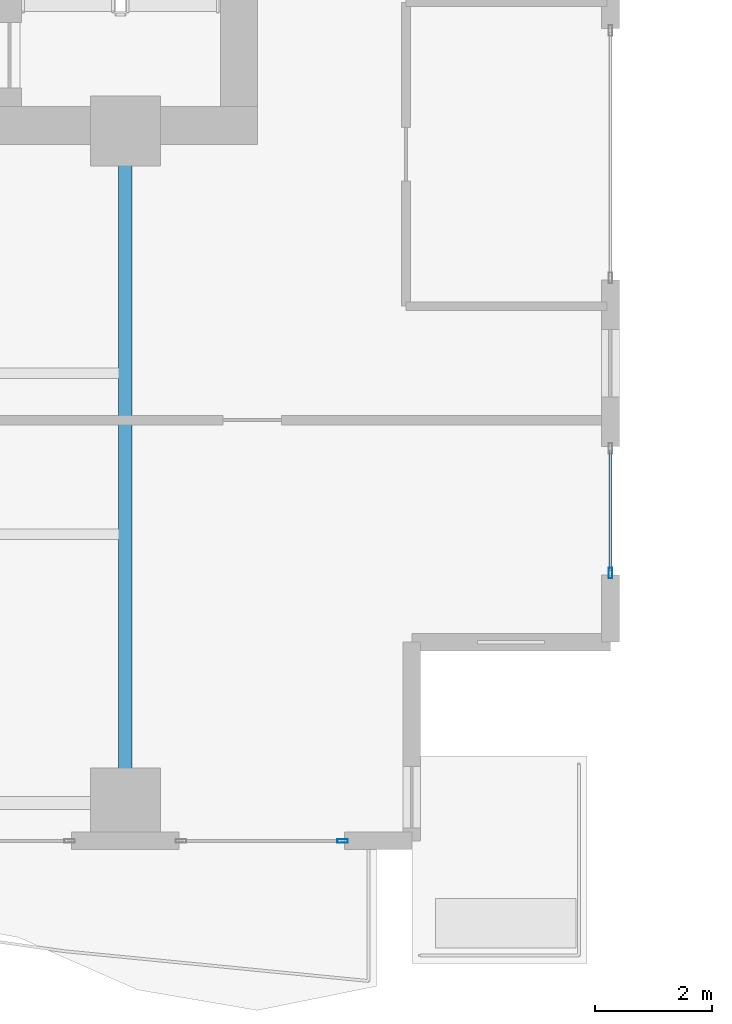
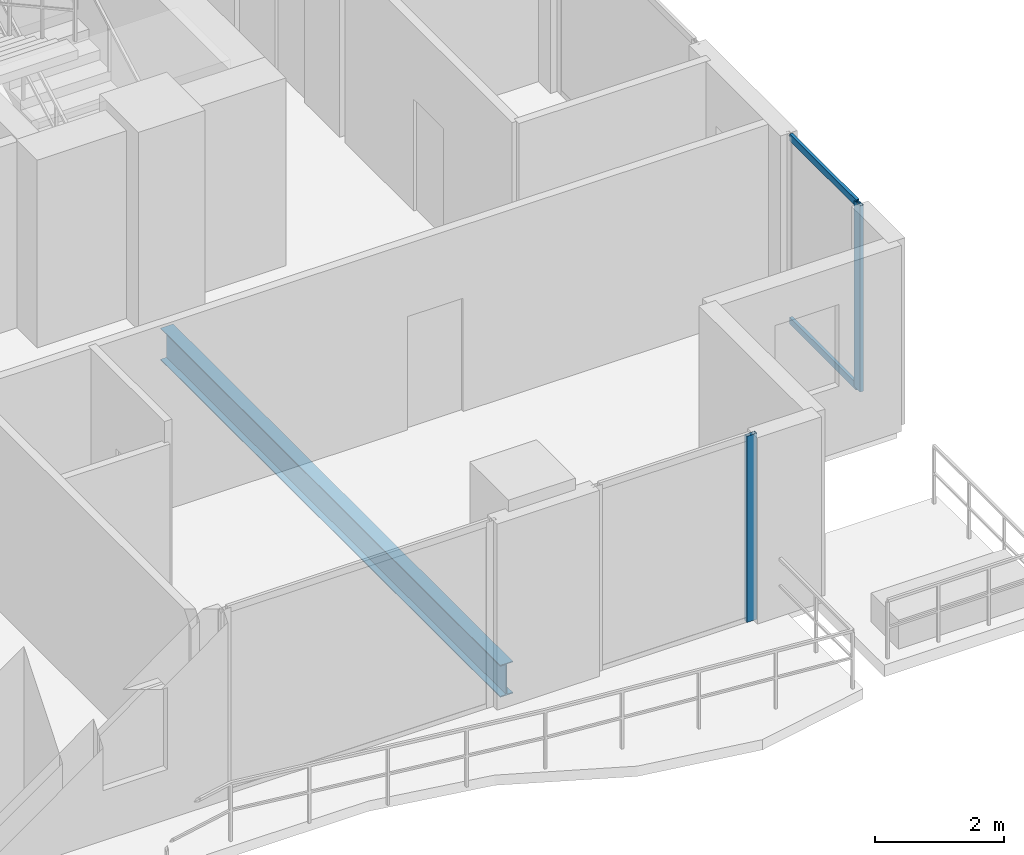
# One storey, part 12 of 33: 4 members, 1 beam, 2 elements without a shape of their own.
"""IFC4 building model written with IfcOpenShell, lengths in metres."""

from ifc_helpers import new_model, si_unit, direction, frame, origin, origin_2d, place, context, subcontext, project, spatial, hollow_rectangle, i_section, extrude, material, layer, layer_set, material_profile, profile_set, type_object, element, aggregate, save


model = new_model("IFC4")

# Units and contexts
model_context = context("Model", 3, precision=1e-05, world=origin(), true_north=direction((0.0, 1.0)))
body_context = subcontext(model_context, "Body", "Model", "MODEL_VIEW")
ifc_project = project(units=[si_unit("LENGTHUNIT", "METRE"), si_unit("AREAUNIT", "SQUARE_METRE"), si_unit("VOLUMEUNIT", "CUBIC_METRE"), si_unit("PLANEANGLEUNIT", "RADIAN"), si_unit("MASSUNIT", "GRAM", prefix="KILO")], contexts=[model_context])

# Site, building, storey
site_placement = place(None, origin())
site = spatial("IfcSite", under=ifc_project, at=site_placement, CompositionType="ELEMENT")
building_placement = place(site_placement, origin())
building = spatial("IfcBuilding", under=site, at=building_placement, Name="Zuhayl Quay Hotel", CompositionType="ELEMENT")
storey_placement = place(building_placement, frame((0.0, 0.0, 199.89990234375)))
storey = spatial("IfcBuildingStorey", under=building, at=storey_placement, Name="L50", CompositionType="ELEMENT", Elevation=199.89990234375)

# Beam
ifc_material_1 = material(Name="Steel ASTM A992 Grade 50", Category="steel")
ifc_material_profile_1 = material_profile(ifc_material_1, i_section(OverallWidth=0.22802734375, OverallDepth=0.60693359375, WebThickness=0.01123046875, FlangeThickness=0.017333984375, at=origin_2d()), Name="W24X76")
ifc_profile_set_1 = profile_set([ifc_material_profile_1], Name="Steel ASTM A992 Grade 50")
beam_type = type_object("IfcBeamType", Name="BM_B3_W24X76", PredefinedType="BEAM", material=ifc_profile_set_1)
beam_placement = place(storey_placement, frame((13.800048828125, -6.449951171875, -0.5234375), z_axis=(0.0, 1.0, 0.0), x_axis=(-1.0, 0.0, 0.0)))
element("IfcBeam", 1, at=beam_placement, inside=storey, type_object=beam_type, Name="L50 Floor Beam FG_S_L50_4", PredefinedType="BEAM", context=body_context, shape_type="SweptSolid", body=[
    extrude(i_section(OverallWidth=0.22802734375, OverallDepth=0.60693359375, WebThickness=0.01123046875, FlangeThickness=0.017333984375, at=origin_2d()), origin(), (0.0, 0.0, 1.0), 10.550048828125),
])

# Curtain wall, member
ifc_material_2 = material(Name="Anodised Aluminium 6063-T6", Category="aluminium")
ifc_layer = layer(ifc_material_2, 0.175048828125, Name="Anodised Aluminium 6063-T6", Category="aluminium")
ifc_layer_set = layer_set([ifc_layer], Name="Anodised Aluminium 6063-T6")
curtain_wall_type = type_object("IfcCurtainWallType", Name="CW_SYS_Z3", PredefinedType="USERDEFINED", material=ifc_layer_set)
curtain_wall_1_placement = place(storey_placement, origin())
curtain_wall_1 = element("IfcCurtainWall", 2, at=curtain_wall_1_placement, inside=storey, type_object=curtain_wall_type, Name="L50 Curtain Wall ENV_L50_E14_CW2", ObjectType="UNITISED CURTAIN WALL", PredefinedType="USERDEFINED")
ifc_material_3 = material(Name="Black-anodised aluminium 6063-T6", Category="aluminium")
ifc_material_profile_2 = material_profile(ifc_material_3, hollow_rectangle(XDim=0.06494140625, YDim=0.179931640625, WallThickness=0.00341796875, at=origin_2d()), Name="ALU180X65")
ifc_profile_set_2 = profile_set([ifc_material_profile_2], Name="Black-anodised aluminium 6063-T6")
member_type_1 = type_object("IfcMemberType", Name="MB_CW_MUL_180", PredefinedType="MULLION", material=ifc_profile_set_2)
member_1_placement = place(storey_placement, frame((22.10009765625, -3.017578125, 0.0), z_axis=(0.0, 0.0, 1.0), x_axis=(1.0, 0.0, 0.0)))
member_1 = element("IfcMember", 3, at=member_1_placement, type_object=member_type_1, Name="CW-Z3 mullion 2", PredefinedType="MULLION", context=body_context, shape_type="SweptSolid", body=[
    extrude(hollow_rectangle(XDim=0.06494140625, YDim=0.179931640625, WallThickness=0.00341796875, at=origin_2d()), origin(), (0.0, 0.0, 1.0), 3.530029296875),
])

curtain_wall_2_placement = place(storey_placement, origin())
curtain_wall_2 = element("IfcCurtainWall", 4, at=curtain_wall_2_placement, inside=storey, type_object=curtain_wall_type, Name="L50 Curtain Wall ENV_L50_S_CW1", ObjectType="UNITISED CURTAIN WALL", PredefinedType="USERDEFINED")
member_2_placement = place(storey_placement, frame((17.517578125, -7.60009765625, 0.0), z_axis=(0.0, 0.0, 1.0), x_axis=(0.0, -1.0, 0.0)))
member_2 = element("IfcMember", 5, at=member_2_placement, type_object=member_type_1, Name="CW-Z3 mullion 1", PredefinedType="MULLION", context=body_context, shape_type="SweptSolid", body=[
    extrude(hollow_rectangle(XDim=0.06494140625, YDim=0.179931640625, WallThickness=0.00341796875, at=origin_2d()), origin(), (0.0, 0.0, 1.0), 3.530029296875),
])
aggregate(curtain_wall_2, [member_2])

# Member
ifc_material_profile_3 = material_profile(ifc_material_3, hollow_rectangle(XDim=0.054931640625, YDim=0.1298828125, WallThickness=0.0029296875, at=origin_2d()), Name="ALU130X55")
ifc_profile_set_3 = profile_set([ifc_material_profile_3], Name="Black-anodised aluminium 6063-T6")
member_type_2 = type_object("IfcMemberType", Name="MB_CW_TRN_130", PredefinedType="USERDEFINED", material=ifc_profile_set_3)
member_3_placement = place(storey_placement, frame((22.10009765625, -0.9150390625, 0.027587890625), z_axis=(0.0, -1.0, 0.0), x_axis=(1.0, 0.0, 0.0)))
member_3 = element("IfcMember", 6, at=member_3_placement, type_object=member_type_2, Name="CW-Z3 transom 1.1", ObjectType="TRANSOM", PredefinedType="USERDEFINED", context=body_context, shape_type="SweptSolid", body=[
    extrude(hollow_rectangle(XDim=0.054931640625, YDim=0.1298828125, WallThickness=0.0029296875, at=origin_2d()), origin(), (0.0, 0.0, 1.0), 2.070068359375),
])

member_4_placement = place(storey_placement, frame((22.10009765625, -0.9150390625, 3.502685546875), z_axis=(0.0, -1.0, 0.0), x_axis=(1.0, 0.0, 0.0)))
member_4 = element("IfcMember", 7, at=member_4_placement, type_object=member_type_2, Name="CW-Z3 transom 1.2", ObjectType="TRANSOM", PredefinedType="USERDEFINED", context=body_context, shape_type="SweptSolid", body=[
    extrude(hollow_rectangle(XDim=0.054931640625, YDim=0.1298828125, WallThickness=0.0029296875, at=origin_2d()), origin(), (0.0, 0.0, 1.0), 2.070068359375),
])

aggregate(curtain_wall_1, [member_1, member_3, member_4])

save(model, "model.ifc")
